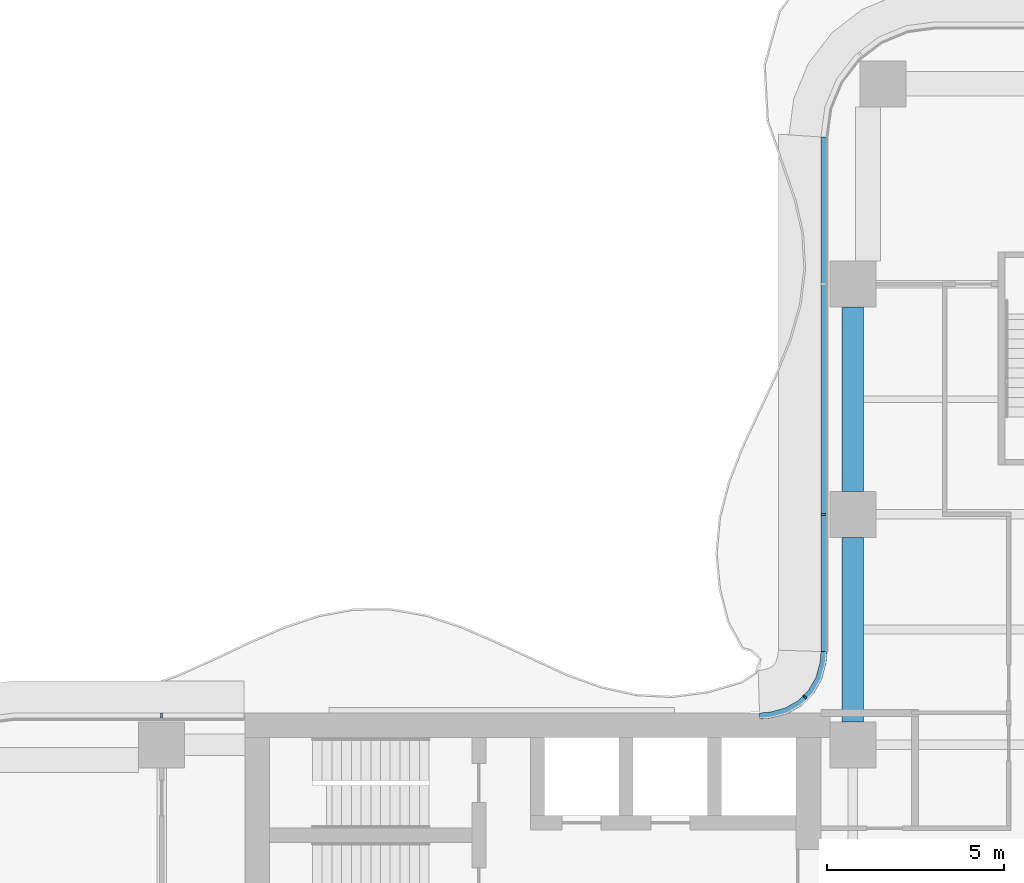
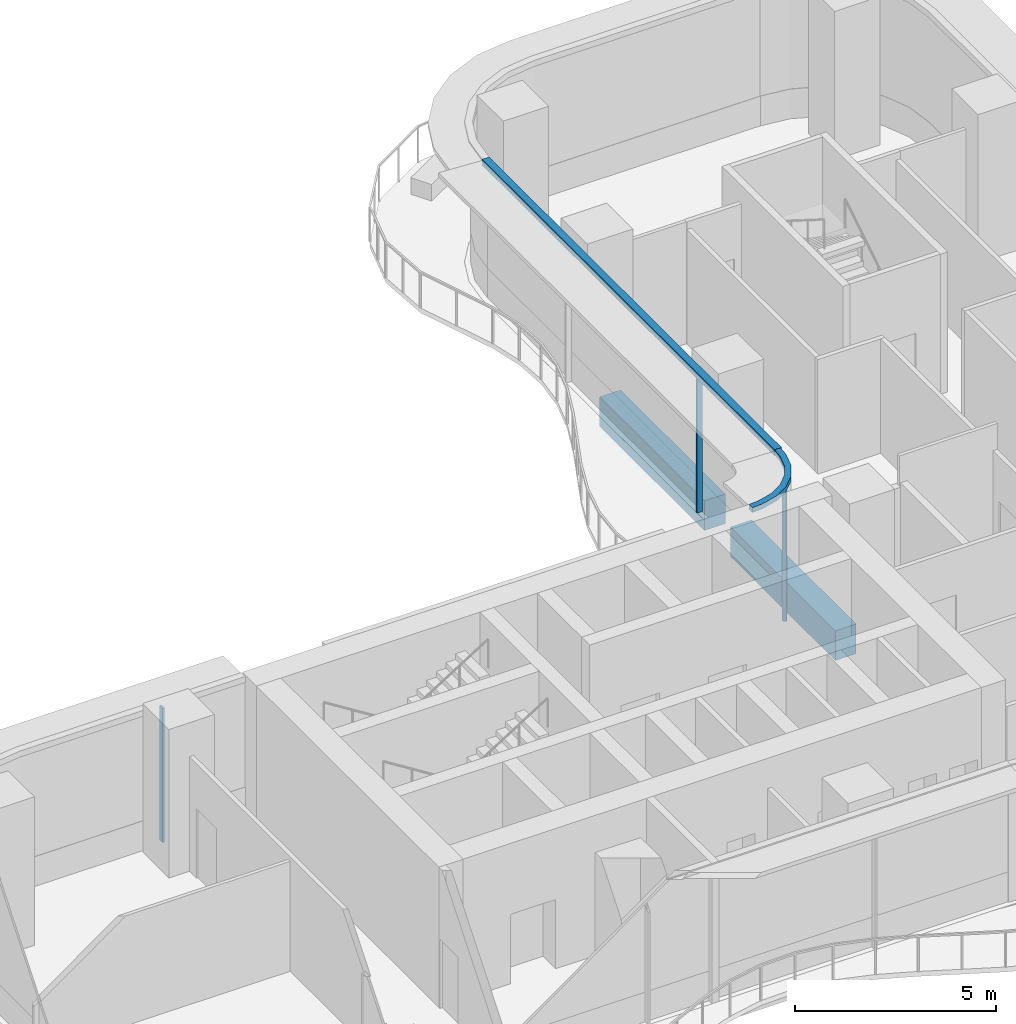
# One storey, part 8 of 21: 5 members, 2 beams, 3 elements without a shape of their own.
"""IFC4 building model written with IfcOpenShell, lengths in metres."""

import ifcopenshell
import ifcopenshell.guid

model = None  # the IFC model being written
_history = None  # IfcOwnerHistory: only IFC2X3 demands one
_inside = {}  # id of a spatial element -> (the spatial element, [elements in it])
_under = {}  # id of a project, library or spatial element -> (it, [spatial elements below it])
_declared = {}  # id of a project -> (the project, [libraries it declares])
_typed = {}  # id of a type object -> (the type object, [elements of that type])
_made_of = {}  # id of a material, layer set ... -> (it, [elements and type objects made of it])


def new_model(schema):
    """Start an empty IFC model of exactly this schema.

    Asked for "IFC4X3", IfcOpenShell would pick the latest addendum, in which some entities
    have other attributes; the version numbers below select the first issue.
    IFC2X3 requires an IfcOwnerHistory on every rooted entity: one is made here for all.
    """
    global model, _history
    if schema == "IFC4X3":
        model = ifcopenshell.file(schema_version=(4, 3, 0, 0))
    else:
        model = ifcopenshell.file(schema=schema)
    _inside.clear()
    _under.clear()
    _declared.clear()
    _typed.clear()
    _made_of.clear()
    _history = None
    if model.schema == "IFC2X3":
        org = make("IfcOrganization", Name="unknown")
        user = make(
            "IfcPersonAndOrganization",
            ThePerson=make("IfcPerson", FamilyName="unknown"),
            TheOrganization=org,
        )
        app = make(
            "IfcApplication",
            ApplicationDeveloper=org,
            Version="unknown",
            ApplicationFullName="unknown",
            ApplicationIdentifier="unknown",
        )
        _history = make(
            "IfcOwnerHistory",
            OwningUser=user,
            OwningApplication=app,
            ChangeAction="ADDED",
            CreationDate=0,
        )
    return model


def make(cls, **values):
    """One entity of the class cls with the attributes given. An attribute that is None is left unset."""
    return model.create_entity(
        cls, **{name: value for name, value in values.items() if value is not None}
    )


def rooted(cls, **values):
    """An entity with a GlobalId (a new one), such as an element, a storey or a relation."""
    return make(cls, GlobalId=ifcopenshell.guid.new(), OwnerHistory=_history, **values)


def si_unit(unit_type, name, prefix=None):
    """IfcSIUnit, for example si_unit("LENGTHUNIT", "METRE", prefix="MILLI")."""
    return make("IfcSIUnit", UnitType=unit_type, Prefix=prefix, Name=name)


def assignment(units):
    """IfcUnitAssignment: the units of a project."""
    return None if units is None else make("IfcUnitAssignment", Units=units)


def point(xyz):
    """IfcCartesianPoint."""
    return None if xyz is None else make("IfcCartesianPoint", Coordinates=xyz)


def direction(xyz):
    """IfcDirection."""
    return None if xyz is None else make("IfcDirection", DirectionRatios=xyz)


def frame(location, z_axis=None, x_axis=None):
    """IfcAxis2Placement3D, a coordinate frame: its origin and axes. An axis left out is left unset."""
    return make(
        "IfcAxis2Placement3D",
        Location=point(location),
        Axis=direction(z_axis),
        RefDirection=direction(x_axis),
    )


def frame_2d(location, x_axis=None):
    """IfcAxis2Placement2D, a coordinate frame in the plane: its origin and x axis."""
    return make(
        "IfcAxis2Placement2D", Location=point(location), RefDirection=direction(x_axis)
    )


def origin():
    """The frame at (0, 0, 0) with its axes left unset."""
    return frame((0.0, 0.0, 0.0))


def origin_2d():
    """The frame at (0, 0) in the plane with its x axis left unset."""
    return frame_2d((0.0, 0.0))


def place(relative_to, where):
    """IfcLocalPlacement: puts the frame where relative to a parent placement (None: the world)."""
    return make(
        "IfcLocalPlacement", PlacementRelTo=relative_to, RelativePlacement=where
    )


def context(
    kind, dimensions, precision=None, world=None, true_north=None, identifier=None
):
    """IfcGeometricRepresentationContext, for example the 3D "Model" context."""
    return make(
        "IfcGeometricRepresentationContext",
        ContextIdentifier=identifier,
        ContextType=kind,
        CoordinateSpaceDimension=dimensions,
        Precision=precision,
        WorldCoordinateSystem=world,
        TrueNorth=true_north,
    )


def subcontext(parent, identifier, kind, view, scale=None):
    """IfcGeometricRepresentationSubContext, for example "Body" below "Model"."""
    return make(
        "IfcGeometricRepresentationSubContext",
        ContextIdentifier=identifier,
        ContextType=kind,
        ParentContext=parent,
        TargetScale=scale,
        TargetView=view,
    )


def project(units=None, contexts=None):
    """IfcProject with its units and contexts."""
    return rooted(
        "IfcProject",
        Name="project",
        RepresentationContexts=contexts,
        UnitsInContext=assignment(units),
    )


def spatial(cls, under=None, at=None, **own):
    """A site, building, storey or space (cls), placed at a placement, below another one or the project."""
    s = rooted(cls, ObjectPlacement=at, **own)
    if under is not None:
        _under.setdefault(under.id(), (under, []))[1].append(s)
    return s


def polyline(points):
    """IfcPolyline through the points."""
    return make("IfcPolyline", Points=[point(p) for p in points])


def profile(cls, at=None, kind="AREA", **sizes):
    """A parametric profile (cls). Its sizes go by their IFC names, for example OverallWidth=200.0."""
    return make(cls, ProfileType=kind, Position=at, **sizes)


def rectangle(**sizes):
    """IfcRectangleProfileDef."""
    return profile("IfcRectangleProfileDef", **sizes)


def outline(outer, holes=None, kind="AREA"):
    """IfcArbitraryClosedProfileDef: a profile drawn as a closed curve; with holes, ...WithVoids."""
    if holes is None:
        return make("IfcArbitraryClosedProfileDef", ProfileType=kind, OuterCurve=outer)
    return make(
        "IfcArbitraryProfileDefWithVoids",
        ProfileType=kind,
        OuterCurve=outer,
        InnerCurves=holes,
    )


def extrude(swept, where, along, depth):
    """IfcExtrudedAreaSolid: the profile swept, set in the frame where, extruded along a direction by depth."""
    return make(
        "IfcExtrudedAreaSolid",
        SweptArea=swept,
        Position=where,
        ExtrudedDirection=direction(along),
        Depth=depth,
    )


def shape(context_of_items, identifier, shape_type, items):
    """IfcShapeRepresentation: the items that make up one representation, for example the "Body"."""
    return make(
        "IfcShapeRepresentation",
        ContextOfItems=context_of_items,
        RepresentationIdentifier=identifier,
        RepresentationType=shape_type,
        Items=items,
    )


def source(mapping_origin, context_of_items, identifier, shape_type, items):
    """IfcRepresentationMap: a shape defined once, which mapped items show again and again."""
    return make(
        "IfcRepresentationMap",
        MappingOrigin=mapping_origin,
        MappedRepresentation=shape(context_of_items, identifier, shape_type, items),
    )


def transform(
    local_origin,
    x_axis=None,
    y_axis=None,
    z_axis=None,
    scale=None,
    scale2=None,
    scale3=None,
    uniform=True,
):
    """IfcCartesianTransformationOperator3D, or its non-uniform kind. x_axis, y_axis, z_axis: its Axis1, 2, 3."""
    if uniform:
        return make(
            "IfcCartesianTransformationOperator3D",
            Axis1=direction(x_axis),
            Axis2=direction(y_axis),
            LocalOrigin=point(local_origin),
            Scale=scale,
            Axis3=direction(z_axis),
        )
    return make(
        "IfcCartesianTransformationOperator3DnonUniform",
        Axis1=direction(x_axis),
        Axis2=direction(y_axis),
        LocalOrigin=point(local_origin),
        Scale=scale,
        Axis3=direction(z_axis),
        Scale2=scale2,
        Scale3=scale3,
    )


def mapped(mapping_source, mapping_target):
    """IfcMappedItem: shows the shape of a source again, moved by a transform."""
    return make(
        "IfcMappedItem", MappingSource=mapping_source, MappingTarget=mapping_target
    )


def material(Name=None, Category=None):
    """IfcMaterial."""
    return make("IfcMaterial", Name=Name, Category=Category)


def layer(
    of_material, thickness, ventilated=None, Name=None, Category=None, Priority=None
):
    """IfcMaterialLayer: one layer of a wall or slab, of a material (None: an air gap)."""
    return make(
        "IfcMaterialLayer",
        Material=of_material,
        LayerThickness=thickness,
        IsVentilated=ventilated,
        Name=Name,
        Category=Category,
        Priority=Priority,
    )


def layer_set(layers, Name=None):
    """IfcMaterialLayerSet."""
    return make("IfcMaterialLayerSet", MaterialLayers=layers, LayerSetName=Name)


def material_profile(
    of_material, cross_section, Name=None, Category=None, Priority=None
):
    """IfcMaterialProfile: a cross section and its material."""
    return make(
        "IfcMaterialProfile",
        Name=Name,
        Material=of_material,
        Profile=cross_section,
        Priority=Priority,
        Category=Category,
    )


def profile_set(profiles, Name=None, composite=None):
    """IfcMaterialProfileSet."""
    return make(
        "IfcMaterialProfileSet",
        Name=Name,
        MaterialProfiles=profiles,
        CompositeProfile=composite,
    )


def made_of(thing, what):
    """Note that an element or type object is made of a material, layer set ...; save() writes the relation."""
    if what is not None:
        _made_of.setdefault(what.id(), (what, []))[1].append(thing)
    return thing


def type_object(cls, material=None, **own):
    """A type object (cls), such as IfcWallType, which elements share."""
    return made_of(rooted(cls, **own), material)


def element(
    cls,
    number,
    at=None,
    inside=None,
    cuts=None,
    type_object=None,
    material=None,
    context=None,
    identifier="Body",
    shape_type=None,
    held_by="IfcProductDefinitionShape",
    body=None,
    shapes=None,
    **own,
):
    """One element of the class cls, such as IfcWall. Its Tag is "e" and its number.

    at: its placement. inside: the storey or other place that contains it. cuts: it is an
    opening in that element (IfcRelVoidsElement). A single representation is given by context,
    identifier, shape_type and body (its items); several are given by shapes. held_by: the class
    of the entity that holds the representations. save() writes the other relations.
    """
    e = rooted(cls, Tag="e%d" % number, ObjectPlacement=at, **own)
    if body is not None:
        shapes = [shape(context, identifier, shape_type, body)]
    if shapes is not None:
        e.Representation = make(held_by, Representations=shapes)
    if inside is not None:
        _inside.setdefault(inside.id(), (inside, []))[1].append(e)
    if cuts is not None:
        rooted(
            "IfcRelVoidsElement", RelatingBuildingElement=cuts, RelatedOpeningElement=e
        )
    if type_object is not None:
        _typed.setdefault(type_object.id(), (type_object, []))[1].append(e)
    return made_of(e, material)


def aggregate(whole, parts):
    """IfcRelAggregates: a whole, such as a stair, and the parts it consists of."""
    return rooted("IfcRelAggregates", RelatingObject=whole, RelatedObjects=parts)


def save(model, path):
    """Write the relations noted so far, then the file.

    IfcRelAggregates (storeys below a building ...), IfcRelContainedInSpatialStructure (elements
    in a storey), IfcRelDefinesByType, IfcRelAssociatesMaterial and IfcRelDeclares: one each for
    every whole, place, type object, material and project.
    """
    for whole, parts in _under.values():
        aggregate(whole, parts)
    for where, things in _inside.values():
        rooted(
            "IfcRelContainedInSpatialStructure",
            RelatedElements=things,
            RelatingStructure=where,
        )
    for kind, things in _typed.values():
        rooted("IfcRelDefinesByType", RelatedObjects=things, RelatingType=kind)
    for what, things in _made_of.values():
        rooted("IfcRelAssociatesMaterial", RelatedObjects=things, RelatingMaterial=what)
    for by, libraries in _declared.values():
        rooted("IfcRelDeclares", RelatingContext=by, RelatedDefinitions=libraries)
    model.write(path)


model = new_model("IFC4")

# Units and contexts
model_context = context("Model", 3, precision=1e-05, world=origin(), true_north=direction((0.0, 1.0)))
body_context = subcontext(model_context, "Body", "Model", "MODEL_VIEW")
ifc_project = project(units=[si_unit("LENGTHUNIT", "METRE"), si_unit("AREAUNIT", "SQUARE_METRE"), si_unit("VOLUMEUNIT", "CUBIC_METRE"), si_unit("PLANEANGLEUNIT", "RADIAN"), si_unit("MASSUNIT", "GRAM", prefix="KILO")], contexts=[model_context])

# Site, building, storey
site_placement = place(None, origin())
site = spatial("IfcSite", under=ifc_project, at=site_placement, CompositionType="ELEMENT")
building_placement = place(site_placement, origin())
building = spatial("IfcBuilding", under=site, at=building_placement, Name="Trellis Farm Tower", CompositionType="ELEMENT")
storey_placement = place(building_placement, frame((0.0, 0.0, 138.0)))
storey = spatial("IfcBuildingStorey", under=building, at=storey_placement, Name="L29", CompositionType="ELEMENT", Elevation=138.0)

# Beams
ifc_material_1 = material(Name="Concrete C60/75", Category="concrete")
ifc_material_profile_1 = material_profile(ifc_material_1, rectangle(XDim=0.60009765625, YDim=0.89990234375, at=origin_2d()), Name="RC spandrel beam 600x900 C60/75")
ifc_profile_set_1 = profile_set([ifc_material_profile_1], Name="Concrete C60/75")
beam_type = type_object("IfcBeamType", Name="RC spandrel beam 600x900 C60/75", PredefinedType="SPANDREL", material=ifc_profile_set_1)
shared_shape_1 = source(origin(), body_context, "Body", "SweptSolid", [
    extrude(rectangle(XDim=0.60009765625, YDim=0.89990234375, at=origin_2d()), origin(), (0.0, 0.0, 1.0), 5.199951171875),
])
for number, where, z_axis, x_axis, name in (
    (1, (-5.60009765625, 6.25, -0.699951171875), (0.0, 1.0, 0.0), (-1.0, 0.0, 0.0), "Girder"),
    (2, (-5.60009765625, 12.75, -0.699951171875), (0.0, 1.0, 0.0), (-1.0, 0.0, 0.0), "Girder"),
):
    element("IfcBeam", number, at=place(storey_placement, frame(where, z_axis=z_axis, x_axis=x_axis)), inside=storey, type_object=beam_type, Name=name, PredefinedType="SPANDREL", context=body_context, shape_type="MappedRepresentation", body=[
        mapped(shared_shape_1, transform((0.0, 0.0, 0.0))),
    ])

# Curtain wall, member
ifc_material_2 = material(Name="Aluminium and glass curtain wall", Category="aluminium")
ifc_layer_1 = layer(ifc_material_2, 0.18994140625)
ifc_layer_set_1 = layer_set([ifc_layer_1], Name="RIBBON CURTAIN WALL CW1")
curtain_wall_type_1 = type_object("IfcCurtainWallType", Name="RIBBON CURTAIN WALL CW1", PredefinedType="NOTDEFINED", material=ifc_layer_set_1)
placement = place(storey_placement, origin())
curtain_wall_1 = element("IfcCurtainWall", 3, at=placement, inside=storey, type_object=curtain_wall_type_1, Name="CW1 011", PredefinedType="NOTDEFINED")
ifc_material_3 = material(Name="Aluminium extrusion 6063-T6", Category="aluminium")
ifc_material_profile_2 = material_profile(ifc_material_3, rectangle(XDim=0.06005859375, YDim=0.14990234375, at=origin_2d()), Name="MULLION 60x150")
ifc_profile_set_2 = profile_set([ifc_material_profile_2], Name="Aluminium extrusion 6063-T6")
member_type_1 = type_object("IfcMemberType", Name="CW1 MULLION 60x150", PredefinedType="MULLION", material=ifc_profile_set_2)
shared_shape_2 = source(origin(), body_context, "Body", "SweptSolid", [
    extrude(rectangle(XDim=0.06005859375, YDim=0.14990234375, at=origin_2d()), origin(), (0.0, 0.0, 1.0), 4.070068359375),
])
member_1_placement = place(storey_placement, frame((-6.425048828125, 12.10009765625, 0.0), z_axis=(0.0, 0.0, 1.0), x_axis=(0.0, -1.0, 0.0)))
member_1 = element("IfcMember", 4, at=member_1_placement, type_object=member_type_1, Name="MU1 011-02", PredefinedType="MULLION", context=body_context, shape_type="MappedRepresentation", body=[
    mapped(shared_shape_2, transform((0.0, 0.0, 0.0))),
])

curtain_wall_2 = element("IfcCurtainWall", 5, at=placement, inside=storey, type_object=curtain_wall_type_1, Name="CW1 012", PredefinedType="NOTDEFINED")
member_2_placement = place(storey_placement, frame((-25.10009765625, 6.425048828125, 0.0), z_axis=(0.0, 0.0, 1.0), x_axis=(-1.0, 0.0, 0.0)))
member_2 = element("IfcMember", 6, at=member_2_placement, type_object=member_type_1, Name="MU1 012-01", PredefinedType="MULLION", context=body_context, shape_type="MappedRepresentation", body=[
    mapped(shared_shape_2, transform((0.0, 0.0, 0.0))),
])
aggregate(curtain_wall_2, [member_2])

# Curtain wall, members
ifc_layer_2 = layer(ifc_material_2, 0.166015625)
ifc_layer_set_2 = layer_set([ifc_layer_2], Name="WINTER GARDEN CURTAIN WALL CW3")
curtain_wall_type_2 = type_object("IfcCurtainWallType", Name="WINTER GARDEN CURTAIN WALL CW3", PredefinedType="NOTDEFINED", material=ifc_layer_set_2)
curtain_wall_3 = element("IfcCurtainWall", 7, at=placement, inside=storey, type_object=curtain_wall_type_2, Name="CW3 004", PredefinedType="NOTDEFINED")
ifc_material_profile_3 = material_profile(ifc_material_3, rectangle(XDim=0.050048828125, YDim=0.1201171875, at=origin_2d()), Name="MULLION 50x120")
ifc_profile_set_3 = profile_set([ifc_material_profile_3], Name="Aluminium extrusion 6063-T6")
member_type_2 = type_object("IfcMemberType", Name="CW3 MULLION 50x120", PredefinedType="MULLION", material=ifc_profile_set_3)
shared_shape_3 = source(origin(), body_context, "Body", "SweptSolid", [
    extrude(rectangle(XDim=0.050048828125, YDim=0.1201171875, at=origin_2d()), origin(), (0.0, 0.0, 1.0), 4.10009765625),
])
member_3_placement = place(storey_placement, frame((-6.953125, 6.953125, 0.0), z_axis=(0.0, 0.0, 1.0), x_axis=(-0.707106781187, -0.707106781187, 0.0)))
member_3 = element("IfcMember", 8, at=member_3_placement, type_object=member_type_2, Name="MU3 004-01", PredefinedType="MULLION", context=body_context, shape_type="MappedRepresentation", body=[
    mapped(shared_shape_3, transform((0.0, 0.0, 0.0))),
])
ifc_layer_3 = layer(ifc_material_3, 0.169921875)
ifc_layer_set_3 = layer_set([ifc_layer_3], Name="Aluminium extrusion 6063-T6")
member_type_3 = type_object("IfcMemberType", Name="CW3 TRANSOM 170x150", PredefinedType="USERDEFINED", material=ifc_layer_set_3)
shared_shape_4 = source(origin(), body_context, "Body", "SweptSolid", [
    extrude(outline(polyline([(-6.5, 8.2314453125), (-6.513916015625, 8.01953125), (-6.527587890625, 7.91552734375), (-6.63671875, 7.508544921875), (-6.846923828125, 7.144287109375), (-7.144287109375, 6.846923828125), (-7.508544921875, 6.63671875), (-7.91552734375, 6.527587890625), (-8.01953125, 6.513916015625), (-8.2314453125, 6.5), (-8.225830078125, 6.330078125), (-8.0029296875, 6.3447265625), (-7.88232421875, 6.360595703125), (-7.44287109375, 6.478271484375), (-7.0400390625, 6.7109375), (-6.7109375, 7.0400390625), (-6.478271484375, 7.44287109375), (-6.360595703125, 7.88232421875), (-6.3447265625, 8.0029296875), (-6.330078125, 8.225830078125), (-6.5, 8.2314453125)])), origin(), (0.0, 0.0, 1.0), 0.14990234375),
])
member_4_placement = place(storey_placement, frame((0.0, 0.0, 4.10009765625)))
member_4 = element("IfcMember", 9, at=member_4_placement, type_object=member_type_3, Name="TR3 004", ObjectType="TRANSOM", PredefinedType="USERDEFINED", context=body_context, shape_type="MappedRepresentation", body=[
    mapped(shared_shape_4, transform((0.0, 0.0, 0.0))),
])
aggregate(curtain_wall_3, [member_3, member_4])

# Member
ifc_layer_4 = layer(ifc_material_3, 0.199951171875)
ifc_layer_set_4 = layer_set([ifc_layer_4], Name="Aluminium extrusion 6063-T6")
member_type_4 = type_object("IfcMemberType", Name="CW1 TRANSOM 200x180", PredefinedType="USERDEFINED", material=ifc_layer_set_4)
shared_shape_5 = source(origin(), body_context, "Body", "SweptSolid", [
    extrude(outline(polyline([(-6.5, 22.75), (-6.5, 8.2314453125), (-6.300048828125, 8.224853515625), (-6.300048828125, 22.73681640625), (-6.5, 22.75)])), origin(), (0.0, 0.0, 1.0), 0.179931640625),
])
member_5_placement = place(storey_placement, frame((0.0, 0.0, 4.070068359375)))
member_5 = element("IfcMember", 10, at=member_5_placement, type_object=member_type_4, Name="TR1 011", ObjectType="TRANSOM", PredefinedType="USERDEFINED", context=body_context, shape_type="MappedRepresentation", body=[
    mapped(shared_shape_5, transform((0.0, 0.0, 0.0))),
])

aggregate(curtain_wall_1, [member_1, member_5])

save(model, "model.ifc")
